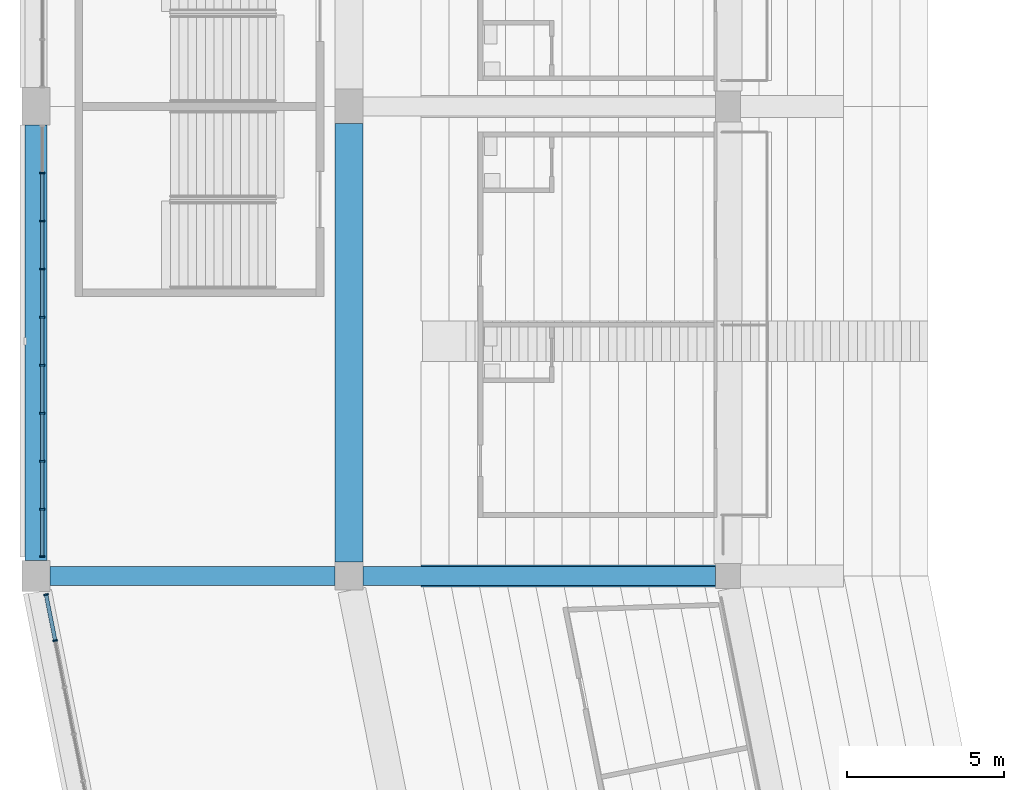
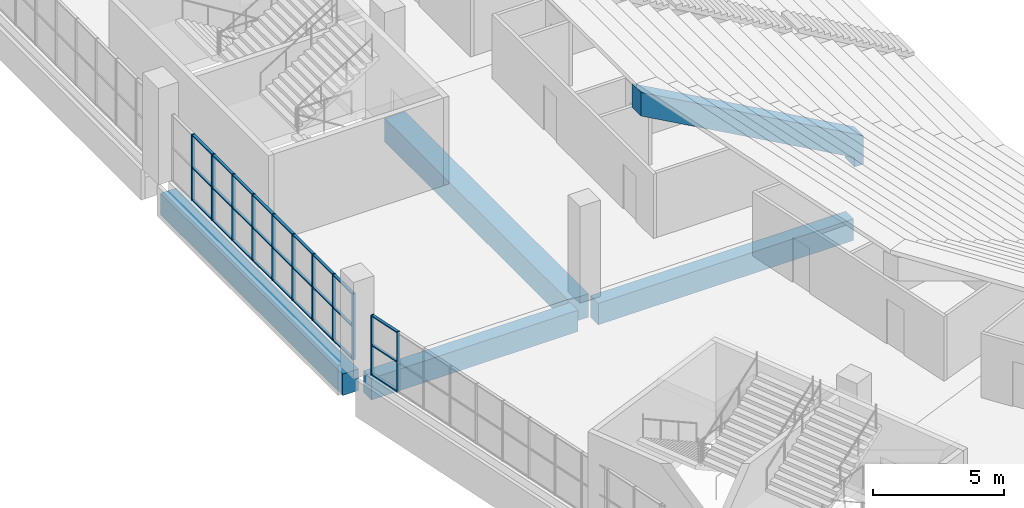
# One storey, part 10 of 249: 38 members, 5 beams, 2 elements without a shape of their own.
"""IFC4 building model written with IfcOpenShell, lengths in metres."""

from ifc_helpers import new_model, si_unit, direction, frame, origin, origin_2d, place, context, subcontext, project, spatial, polyline, rectangle, outline, extrude, material, material_profile, profile_set, type_object, element, aggregate, save


model = new_model("IFC4")

# Units and contexts
model_context = context("Model", 3, precision=1e-05, world=origin(), true_north=direction((0.0, 1.0)))
body_context = subcontext(model_context, "Body", "Model", "MODEL_VIEW")
ifc_project = project(units=[si_unit("LENGTHUNIT", "METRE"), si_unit("AREAUNIT", "SQUARE_METRE"), si_unit("VOLUMEUNIT", "CUBIC_METRE"), si_unit("PLANEANGLEUNIT", "RADIAN"), si_unit("MASSUNIT", "GRAM", prefix="KILO")], contexts=[model_context])

# Site, building, storey
site_placement = place(None, origin())
site = spatial("IfcSite", under=ifc_project, at=site_placement, CompositionType="ELEMENT")
building_placement = place(site_placement, origin())
building = spatial("IfcBuilding", under=site, at=building_placement, Name="Ogive Plaza Stadium", CompositionType="ELEMENT")
storey_placement = place(building_placement, frame((0.0, 0.0, 13.5)))
storey = spatial("IfcBuildingStorey", under=building, at=storey_placement, Name="L03", CompositionType="ELEMENT", Elevation=13.5)

# Curtain wall, members
ifc_material_1 = material(Name="Bronze-anodised aluminium with laminated glass", Category="aluminium")
curtain_wall_type = type_object("IfcCurtainWallType", Name="Lancet curtain wall", PredefinedType="NOTDEFINED", material=ifc_material_1)
curtain_wall_1_placement = place(storey_placement, origin())
curtain_wall_1 = element("IfcCurtainWall", 1, at=curtain_wall_1_placement, inside=storey, type_object=curtain_wall_type, Name="CURTAIN WALL B20 L03", PredefinedType="NOTDEFINED")
ifc_material_2 = material(Name="Bronze-anodised aluminium", Category="aluminium")
ifc_material_profile_1 = material_profile(ifc_material_2, rectangle(XDim=0.14990234375, YDim=0.050048828125, at=origin_2d()), Name="AL 150x50")
ifc_profile_set_1 = profile_set([ifc_material_profile_1], Name="Bronze-anodised aluminium")
member_type_1 = type_object("IfcMemberType", Name="Curtain wall mullion 50x150", PredefinedType="MULLION", material=ifc_profile_set_1)
member_1_placement = place(storey_placement, frame((-83.3857421875, -54.5625, 0.0), z_axis=(0.0, 0.0, 1.0), x_axis=(-0.9807852804, -0.195090322033, 0.0)))
member_1 = element("IfcMember", 2, at=member_1_placement, type_object=member_type_1, Name="CW-B20-L03 mullion 12", PredefinedType="MULLION", context=body_context, shape_type="SweptSolid", body=[
    extrude(rectangle(XDim=0.14990234375, YDim=0.050048828125, at=origin_2d()), origin(), (0.0, 0.0, 1.0), 2.7900390625),
])
member_2_placement = place(storey_placement, frame((-83.677978515625, -53.093994140625, 0.0), z_axis=(0.0, 0.0, 1.0), x_axis=(-0.9807852804, -0.195090322033, 0.0)))
member_2 = element("IfcMember", 3, at=member_2_placement, type_object=member_type_1, Name="CW-B20-L03 mullion 13", PredefinedType="MULLION", context=body_context, shape_type="SweptSolid", body=[
    extrude(rectangle(XDim=0.14990234375, YDim=0.050048828125, at=origin_2d()), origin(), (0.0, 0.0, 1.0), 2.7900390625),
])

curtain_wall_2_placement = place(storey_placement, origin())
curtain_wall_2 = element("IfcCurtainWall", 4, at=curtain_wall_2_placement, inside=storey, type_object=curtain_wall_type, Name="CURTAIN WALL B21 L03", PredefinedType="NOTDEFINED")
member_3_placement = place(storey_placement, frame((-83.800048828125, -51.875, 0.0), z_axis=(0.0, 0.0, 1.0), x_axis=(-1.0, 0.0, 0.0)))
member_3 = element("IfcMember", 5, at=member_3_placement, type_object=member_type_1, Name="CW-B21-L03 mullion 1", PredefinedType="MULLION", context=body_context, shape_type="SweptSolid", body=[
    extrude(rectangle(XDim=0.14990234375, YDim=0.050048828125, at=origin_2d()), origin(), (0.0, 0.0, 1.0), 3.090087890625),
])
member_4_placement = place(storey_placement, frame((-83.800048828125, -50.36669921875, 0.0), z_axis=(0.0, 0.0, 1.0), x_axis=(-1.0, 0.0, 0.0)))
member_4 = element("IfcMember", 6, at=member_4_placement, type_object=member_type_1, Name="CW-B21-L03 mullion 2", PredefinedType="MULLION", context=body_context, shape_type="SweptSolid", body=[
    extrude(rectangle(XDim=0.14990234375, YDim=0.050048828125, at=origin_2d()), origin(), (0.0, 0.0, 1.0), 3.090087890625),
])
member_5_placement = place(storey_placement, frame((-83.800048828125, -48.833251953125, 0.0), z_axis=(0.0, 0.0, 1.0), x_axis=(-1.0, 0.0, 0.0)))
member_5 = element("IfcMember", 7, at=member_5_placement, type_object=member_type_1, Name="CW-B21-L03 mullion 3", PredefinedType="MULLION", context=body_context, shape_type="SweptSolid", body=[
    extrude(rectangle(XDim=0.14990234375, YDim=0.050048828125, at=origin_2d()), origin(), (0.0, 0.0, 1.0), 3.090087890625),
])
member_6_placement = place(storey_placement, frame((-83.800048828125, -47.300048828125, 0.0), z_axis=(0.0, 0.0, 1.0), x_axis=(-1.0, 0.0, 0.0)))
member_6 = element("IfcMember", 8, at=member_6_placement, type_object=member_type_1, Name="CW-B21-L03 mullion 4", PredefinedType="MULLION", context=body_context, shape_type="SweptSolid", body=[
    extrude(rectangle(XDim=0.14990234375, YDim=0.050048828125, at=origin_2d()), origin(), (0.0, 0.0, 1.0), 3.090087890625),
])
member_7_placement = place(storey_placement, frame((-83.800048828125, -45.7666015625, 0.0), z_axis=(0.0, 0.0, 1.0), x_axis=(-1.0, 0.0, 0.0)))
member_7 = element("IfcMember", 9, at=member_7_placement, type_object=member_type_1, Name="CW-B21-L03 mullion 5", PredefinedType="MULLION", context=body_context, shape_type="SweptSolid", body=[
    extrude(rectangle(XDim=0.14990234375, YDim=0.050048828125, at=origin_2d()), origin(), (0.0, 0.0, 1.0), 3.090087890625),
])
member_8_placement = place(storey_placement, frame((-83.800048828125, -44.2333984375, 0.0), z_axis=(0.0, 0.0, 1.0), x_axis=(-1.0, 0.0, 0.0)))
member_8 = element("IfcMember", 10, at=member_8_placement, type_object=member_type_1, Name="CW-B21-L03 mullion 6", PredefinedType="MULLION", context=body_context, shape_type="SweptSolid", body=[
    extrude(rectangle(XDim=0.14990234375, YDim=0.050048828125, at=origin_2d()), origin(), (0.0, 0.0, 1.0), 3.090087890625),
])
member_9_placement = place(storey_placement, frame((-83.800048828125, -42.699951171875, 0.0), z_axis=(0.0, 0.0, 1.0), x_axis=(-1.0, 0.0, 0.0)))
member_9 = element("IfcMember", 11, at=member_9_placement, type_object=member_type_1, Name="CW-B21-L03 mullion 7", PredefinedType="MULLION", context=body_context, shape_type="SweptSolid", body=[
    extrude(rectangle(XDim=0.14990234375, YDim=0.050048828125, at=origin_2d()), origin(), (0.0, 0.0, 1.0), 3.090087890625),
])
member_10_placement = place(storey_placement, frame((-83.800048828125, -41.166748046875, 0.0), z_axis=(0.0, 0.0, 1.0), x_axis=(-1.0, 0.0, 0.0)))
member_10 = element("IfcMember", 12, at=member_10_placement, type_object=member_type_1, Name="CW-B21-L03 mullion 8", PredefinedType="MULLION", context=body_context, shape_type="SweptSolid", body=[
    extrude(rectangle(XDim=0.14990234375, YDim=0.050048828125, at=origin_2d()), origin(), (0.0, 0.0, 1.0), 3.090087890625),
])
member_11_placement = place(storey_placement, frame((-83.800048828125, -39.63330078125, 0.0), z_axis=(0.0, 0.0, 1.0), x_axis=(-1.0, 0.0, 0.0)))
member_11 = element("IfcMember", 13, at=member_11_placement, type_object=member_type_1, Name="CW-B21-L03 mullion 9", PredefinedType="MULLION", context=body_context, shape_type="SweptSolid", body=[
    extrude(rectangle(XDim=0.14990234375, YDim=0.050048828125, at=origin_2d()), origin(), (0.0, 0.0, 1.0), 3.090087890625),
])

# Member
ifc_material_3 = material(Name="Bronze-anodised aluminium", Category="aluminium")
ifc_material_profile_2 = material_profile(ifc_material_3, rectangle(XDim=0.1201171875, YDim=0.050048828125, at=origin_2d()), Name="AL 120x50")
ifc_profile_set_2 = profile_set([ifc_material_profile_2], Name="Bronze-anodised aluminium")
member_type_2 = type_object("IfcMemberType", Name="Curtain wall transom 50x120", PredefinedType="USERDEFINED", material=ifc_profile_set_2)
member_12_placement = place(storey_placement, frame((-83.390625, -54.5380859375, 0.02490234375), z_axis=(-0.195175269199, 0.980768379534, 0.0), x_axis=(-0.980768379534, -0.195175269199, 0.0)))
member_12 = element("IfcMember", 14, at=member_12_placement, type_object=member_type_2, Name="CW-B20-L03 transom 12.1", ObjectType="TRANSOM", PredefinedType="USERDEFINED", context=body_context, shape_type="SweptSolid", body=[
    extrude(rectangle(XDim=0.1201171875, YDim=0.050048828125, at=origin_2d()), origin(), (0.0, 0.0, 1.0), 1.447265625),
])

member_13_placement = place(storey_placement, frame((-83.390625, -54.5380859375, 1.39501953125), z_axis=(-0.195175269199, 0.980768379534, 0.0), x_axis=(-0.980768379534, -0.195175269199, 0.0)))
member_13 = element("IfcMember", 15, at=member_13_placement, type_object=member_type_2, Name="CW-B20-L03 transom 12.2", ObjectType="TRANSOM", PredefinedType="USERDEFINED", context=body_context, shape_type="SweptSolid", body=[
    extrude(rectangle(XDim=0.1201171875, YDim=0.050048828125, at=origin_2d()), origin(), (0.0, 0.0, 1.0), 1.447265625),
])

member_14_placement = place(storey_placement, frame((-83.390625, -54.5380859375, 2.764892578125), z_axis=(-0.195175269199, 0.980768379534, 0.0), x_axis=(-0.980768379534, -0.195175269199, 0.0)))
member_14 = element("IfcMember", 16, at=member_14_placement, type_object=member_type_2, Name="CW-B20-L03 transom 12.3", ObjectType="TRANSOM", PredefinedType="USERDEFINED", context=body_context, shape_type="SweptSolid", body=[
    extrude(rectangle(XDim=0.1201171875, YDim=0.050048828125, at=origin_2d()), origin(), (0.0, 0.0, 1.0), 1.447265625),
])

aggregate(curtain_wall_1, [member_1, member_2, member_12, member_13, member_14])

member_15_placement = place(storey_placement, frame((-83.800048828125, -51.85009765625, 0.02490234375), z_axis=(0.0, 1.0, 0.0), x_axis=(-1.0, 0.0, 0.0)))
member_15 = element("IfcMember", 17, at=member_15_placement, type_object=member_type_2, Name="CW-B21-L03 transom 1.1", ObjectType="TRANSOM", PredefinedType="USERDEFINED", context=body_context, shape_type="SweptSolid", body=[
    extrude(rectangle(XDim=0.1201171875, YDim=0.050048828125, at=origin_2d()), origin(), (0.0, 0.0, 1.0), 1.45849609375),
])

member_16_placement = place(storey_placement, frame((-83.800048828125, -51.85009765625, 1.544921875), z_axis=(0.0, 1.0, 0.0), x_axis=(-1.0, 0.0, 0.0)))
member_16 = element("IfcMember", 18, at=member_16_placement, type_object=member_type_2, Name="CW-B21-L03 transom 1.2", ObjectType="TRANSOM", PredefinedType="USERDEFINED", context=body_context, shape_type="SweptSolid", body=[
    extrude(rectangle(XDim=0.1201171875, YDim=0.050048828125, at=origin_2d()), origin(), (0.0, 0.0, 1.0), 1.45849609375),
])

member_17_placement = place(storey_placement, frame((-83.800048828125, -51.85009765625, 3.06494140625), z_axis=(0.0, 1.0, 0.0), x_axis=(-1.0, 0.0, 0.0)))
member_17 = element("IfcMember", 19, at=member_17_placement, type_object=member_type_2, Name="CW-B21-L03 transom 1.3", ObjectType="TRANSOM", PredefinedType="USERDEFINED", context=body_context, shape_type="SweptSolid", body=[
    extrude(rectangle(XDim=0.1201171875, YDim=0.050048828125, at=origin_2d()), origin(), (0.0, 0.0, 1.0), 1.45849609375),
])

member_18_placement = place(storey_placement, frame((-83.800048828125, -50.341552734375, 0.02490234375), z_axis=(0.0, 1.0, 0.0), x_axis=(-1.0, 0.0, 0.0)))
member_18 = element("IfcMember", 20, at=member_18_placement, type_object=member_type_2, Name="CW-B21-L03 transom 2.1", ObjectType="TRANSOM", PredefinedType="USERDEFINED", context=body_context, shape_type="SweptSolid", body=[
    extrude(rectangle(XDim=0.1201171875, YDim=0.050048828125, at=origin_2d()), origin(), (0.0, 0.0, 1.0), 1.483154296875),
])

member_19_placement = place(storey_placement, frame((-83.800048828125, -50.341552734375, 1.544921875), z_axis=(0.0, 1.0, 0.0), x_axis=(-1.0, 0.0, 0.0)))
member_19 = element("IfcMember", 21, at=member_19_placement, type_object=member_type_2, Name="CW-B21-L03 transom 2.2", ObjectType="TRANSOM", PredefinedType="USERDEFINED", context=body_context, shape_type="SweptSolid", body=[
    extrude(rectangle(XDim=0.1201171875, YDim=0.050048828125, at=origin_2d()), origin(), (0.0, 0.0, 1.0), 1.483154296875),
])

member_20_placement = place(storey_placement, frame((-83.800048828125, -50.341552734375, 3.06494140625), z_axis=(0.0, 1.0, 0.0), x_axis=(-1.0, 0.0, 0.0)))
member_20 = element("IfcMember", 22, at=member_20_placement, type_object=member_type_2, Name="CW-B21-L03 transom 2.3", ObjectType="TRANSOM", PredefinedType="USERDEFINED", context=body_context, shape_type="SweptSolid", body=[
    extrude(rectangle(XDim=0.1201171875, YDim=0.050048828125, at=origin_2d()), origin(), (0.0, 0.0, 1.0), 1.483154296875),
])

member_21_placement = place(storey_placement, frame((-83.800048828125, -48.808349609375, 0.02490234375), z_axis=(0.0, 1.0, 0.0), x_axis=(-1.0, 0.0, 0.0)))
member_21 = element("IfcMember", 23, at=member_21_placement, type_object=member_type_2, Name="CW-B21-L03 transom 3.1", ObjectType="TRANSOM", PredefinedType="USERDEFINED", context=body_context, shape_type="SweptSolid", body=[
    extrude(rectangle(XDim=0.1201171875, YDim=0.050048828125, at=origin_2d()), origin(), (0.0, 0.0, 1.0), 1.4833984375),
])

member_22_placement = place(storey_placement, frame((-83.800048828125, -48.808349609375, 1.544921875), z_axis=(0.0, 1.0, 0.0), x_axis=(-1.0, 0.0, 0.0)))
member_22 = element("IfcMember", 24, at=member_22_placement, type_object=member_type_2, Name="CW-B21-L03 transom 3.2", ObjectType="TRANSOM", PredefinedType="USERDEFINED", context=body_context, shape_type="SweptSolid", body=[
    extrude(rectangle(XDim=0.1201171875, YDim=0.050048828125, at=origin_2d()), origin(), (0.0, 0.0, 1.0), 1.4833984375),
])

member_23_placement = place(storey_placement, frame((-83.800048828125, -48.808349609375, 3.06494140625), z_axis=(0.0, 1.0, 0.0), x_axis=(-1.0, 0.0, 0.0)))
member_23 = element("IfcMember", 25, at=member_23_placement, type_object=member_type_2, Name="CW-B21-L03 transom 3.3", ObjectType="TRANSOM", PredefinedType="USERDEFINED", context=body_context, shape_type="SweptSolid", body=[
    extrude(rectangle(XDim=0.1201171875, YDim=0.050048828125, at=origin_2d()), origin(), (0.0, 0.0, 1.0), 1.4833984375),
])

member_24_placement = place(storey_placement, frame((-83.800048828125, -47.27490234375, 0.02490234375), z_axis=(0.0, 1.0, 0.0), x_axis=(-1.0, 0.0, 0.0)))
member_24 = element("IfcMember", 26, at=member_24_placement, type_object=member_type_2, Name="CW-B21-L03 transom 4.1", ObjectType="TRANSOM", PredefinedType="USERDEFINED", context=body_context, shape_type="SweptSolid", body=[
    extrude(rectangle(XDim=0.1201171875, YDim=0.050048828125, at=origin_2d()), origin(), (0.0, 0.0, 1.0), 1.483154296875),
])

member_25_placement = place(storey_placement, frame((-83.800048828125, -47.27490234375, 1.544921875), z_axis=(0.0, 1.0, 0.0), x_axis=(-1.0, 0.0, 0.0)))
member_25 = element("IfcMember", 27, at=member_25_placement, type_object=member_type_2, Name="CW-B21-L03 transom 4.2", ObjectType="TRANSOM", PredefinedType="USERDEFINED", context=body_context, shape_type="SweptSolid", body=[
    extrude(rectangle(XDim=0.1201171875, YDim=0.050048828125, at=origin_2d()), origin(), (0.0, 0.0, 1.0), 1.483154296875),
])

member_26_placement = place(storey_placement, frame((-83.800048828125, -47.27490234375, 3.06494140625), z_axis=(0.0, 1.0, 0.0), x_axis=(-1.0, 0.0, 0.0)))
member_26 = element("IfcMember", 28, at=member_26_placement, type_object=member_type_2, Name="CW-B21-L03 transom 4.3", ObjectType="TRANSOM", PredefinedType="USERDEFINED", context=body_context, shape_type="SweptSolid", body=[
    extrude(rectangle(XDim=0.1201171875, YDim=0.050048828125, at=origin_2d()), origin(), (0.0, 0.0, 1.0), 1.483154296875),
])

member_27_placement = place(storey_placement, frame((-83.800048828125, -45.74169921875, 0.02490234375), z_axis=(0.0, 1.0, 0.0), x_axis=(-1.0, 0.0, 0.0)))
member_27 = element("IfcMember", 29, at=member_27_placement, type_object=member_type_2, Name="CW-B21-L03 transom 5.1", ObjectType="TRANSOM", PredefinedType="USERDEFINED", context=body_context, shape_type="SweptSolid", body=[
    extrude(rectangle(XDim=0.1201171875, YDim=0.050048828125, at=origin_2d()), origin(), (0.0, 0.0, 1.0), 1.4833984375),
])

member_28_placement = place(storey_placement, frame((-83.800048828125, -45.74169921875, 1.544921875), z_axis=(0.0, 1.0, 0.0), x_axis=(-1.0, 0.0, 0.0)))
member_28 = element("IfcMember", 30, at=member_28_placement, type_object=member_type_2, Name="CW-B21-L03 transom 5.2", ObjectType="TRANSOM", PredefinedType="USERDEFINED", context=body_context, shape_type="SweptSolid", body=[
    extrude(rectangle(XDim=0.1201171875, YDim=0.050048828125, at=origin_2d()), origin(), (0.0, 0.0, 1.0), 1.4833984375),
])

member_29_placement = place(storey_placement, frame((-83.800048828125, -45.74169921875, 3.06494140625), z_axis=(0.0, 1.0, 0.0), x_axis=(-1.0, 0.0, 0.0)))
member_29 = element("IfcMember", 31, at=member_29_placement, type_object=member_type_2, Name="CW-B21-L03 transom 5.3", ObjectType="TRANSOM", PredefinedType="USERDEFINED", context=body_context, shape_type="SweptSolid", body=[
    extrude(rectangle(XDim=0.1201171875, YDim=0.050048828125, at=origin_2d()), origin(), (0.0, 0.0, 1.0), 1.4833984375),
])

member_30_placement = place(storey_placement, frame((-83.800048828125, -44.208251953125, 0.02490234375), z_axis=(0.0, 1.0, 0.0), x_axis=(-1.0, 0.0, 0.0)))
member_30 = element("IfcMember", 32, at=member_30_placement, type_object=member_type_2, Name="CW-B21-L03 transom 6.1", ObjectType="TRANSOM", PredefinedType="USERDEFINED", context=body_context, shape_type="SweptSolid", body=[
    extrude(rectangle(XDim=0.1201171875, YDim=0.050048828125, at=origin_2d()), origin(), (0.0, 0.0, 1.0), 1.483154296875),
])

member_31_placement = place(storey_placement, frame((-83.800048828125, -44.208251953125, 1.544921875), z_axis=(0.0, 1.0, 0.0), x_axis=(-1.0, 0.0, 0.0)))
member_31 = element("IfcMember", 33, at=member_31_placement, type_object=member_type_2, Name="CW-B21-L03 transom 6.2", ObjectType="TRANSOM", PredefinedType="USERDEFINED", context=body_context, shape_type="SweptSolid", body=[
    extrude(rectangle(XDim=0.1201171875, YDim=0.050048828125, at=origin_2d()), origin(), (0.0, 0.0, 1.0), 1.483154296875),
])

member_32_placement = place(storey_placement, frame((-83.800048828125, -44.208251953125, 3.06494140625), z_axis=(0.0, 1.0, 0.0), x_axis=(-1.0, 0.0, 0.0)))
member_32 = element("IfcMember", 34, at=member_32_placement, type_object=member_type_2, Name="CW-B21-L03 transom 6.3", ObjectType="TRANSOM", PredefinedType="USERDEFINED", context=body_context, shape_type="SweptSolid", body=[
    extrude(rectangle(XDim=0.1201171875, YDim=0.050048828125, at=origin_2d()), origin(), (0.0, 0.0, 1.0), 1.483154296875),
])

member_33_placement = place(storey_placement, frame((-83.800048828125, -42.675048828125, 0.02490234375), z_axis=(0.0, 1.0, 0.0), x_axis=(-1.0, 0.0, 0.0)))
member_33 = element("IfcMember", 35, at=member_33_placement, type_object=member_type_2, Name="CW-B21-L03 transom 7.1", ObjectType="TRANSOM", PredefinedType="USERDEFINED", context=body_context, shape_type="SweptSolid", body=[
    extrude(rectangle(XDim=0.1201171875, YDim=0.050048828125, at=origin_2d()), origin(), (0.0, 0.0, 1.0), 1.4833984375),
])

member_34_placement = place(storey_placement, frame((-83.800048828125, -42.675048828125, 1.544921875), z_axis=(0.0, 1.0, 0.0), x_axis=(-1.0, 0.0, 0.0)))
member_34 = element("IfcMember", 36, at=member_34_placement, type_object=member_type_2, Name="CW-B21-L03 transom 7.2", ObjectType="TRANSOM", PredefinedType="USERDEFINED", context=body_context, shape_type="SweptSolid", body=[
    extrude(rectangle(XDim=0.1201171875, YDim=0.050048828125, at=origin_2d()), origin(), (0.0, 0.0, 1.0), 1.4833984375),
])

member_35_placement = place(storey_placement, frame((-83.800048828125, -42.675048828125, 3.06494140625), z_axis=(0.0, 1.0, 0.0), x_axis=(-1.0, 0.0, 0.0)))
member_35 = element("IfcMember", 37, at=member_35_placement, type_object=member_type_2, Name="CW-B21-L03 transom 7.3", ObjectType="TRANSOM", PredefinedType="USERDEFINED", context=body_context, shape_type="SweptSolid", body=[
    extrude(rectangle(XDim=0.1201171875, YDim=0.050048828125, at=origin_2d()), origin(), (0.0, 0.0, 1.0), 1.4833984375),
])

member_36_placement = place(storey_placement, frame((-83.800048828125, -41.1416015625, 0.02490234375), z_axis=(0.0, 1.0, 0.0), x_axis=(-1.0, 0.0, 0.0)))
member_36 = element("IfcMember", 38, at=member_36_placement, type_object=member_type_2, Name="CW-B21-L03 transom 8.1", ObjectType="TRANSOM", PredefinedType="USERDEFINED", context=body_context, shape_type="SweptSolid", body=[
    extrude(rectangle(XDim=0.1201171875, YDim=0.050048828125, at=origin_2d()), origin(), (0.0, 0.0, 1.0), 1.483154296875),
])

member_37_placement = place(storey_placement, frame((-83.800048828125, -41.1416015625, 1.544921875), z_axis=(0.0, 1.0, 0.0), x_axis=(-1.0, 0.0, 0.0)))
member_37 = element("IfcMember", 39, at=member_37_placement, type_object=member_type_2, Name="CW-B21-L03 transom 8.2", ObjectType="TRANSOM", PredefinedType="USERDEFINED", context=body_context, shape_type="SweptSolid", body=[
    extrude(rectangle(XDim=0.1201171875, YDim=0.050048828125, at=origin_2d()), origin(), (0.0, 0.0, 1.0), 1.483154296875),
])

member_38_placement = place(storey_placement, frame((-83.800048828125, -41.1416015625, 3.06494140625), z_axis=(0.0, 1.0, 0.0), x_axis=(-1.0, 0.0, 0.0)))
member_38 = element("IfcMember", 40, at=member_38_placement, type_object=member_type_2, Name="CW-B21-L03 transom 8.3", ObjectType="TRANSOM", PredefinedType="USERDEFINED", context=body_context, shape_type="SweptSolid", body=[
    extrude(rectangle(XDim=0.1201171875, YDim=0.050048828125, at=origin_2d()), origin(), (0.0, 0.0, 1.0), 1.483154296875),
])

aggregate(curtain_wall_2, [member_3, member_4, member_5, member_6, member_7, member_8, member_9, member_10, member_11, member_15, member_16, member_17, member_18, member_19, member_20, member_21, member_22, member_23, member_24, member_25, member_26, member_27, member_28, member_29, member_30, member_31, member_32, member_33, member_34, member_35, member_36, member_37, member_38])

# Beams
ifc_material_4 = material(Name="Concrete C45/55 precast", Category="concrete")
ifc_material_profile_3 = material_profile(ifc_material_4, rectangle(XDim=0.699951171875, YDim=1.10009765625, at=origin_2d()), Name="RC 700x1100")
ifc_profile_set_3 = profile_set([ifc_material_profile_3], Name="Concrete C45/55 precast")
beam_type_1 = type_object("IfcBeamType", Name="Precast raker UT back-span 700x1100", PredefinedType="USERDEFINED", material=ifc_profile_set_3)
beam_1_placement = place(storey_placement, frame((-34.0, -52.5, -13.5), z_axis=(0.0, 0.0, 1.0), x_axis=(-1.0, 0.0, 0.0)))
element("IfcBeam", 41, at=beam_1_placement, inside=storey, type_object=beam_type_1, Name="RAKER UT BACK-SPAN R21", ObjectType="RAKER", PredefinedType="USERDEFINED", context=body_context, shape_type="SweptSolid", body=[
    extrude(outline(polyline([(27.89990234375, 15.533203125), (28.300048828125, 15.533203125), (28.300048828125, 15.977783203125), (37.699951171875, 21.199951171875), (37.699951171875, 22.300048828125), (27.89990234375, 16.855712890625), (27.89990234375, 15.533203125)])), frame((0.0, 0.35009765625, 0.0), z_axis=(0.0, -1.0, 0.0), x_axis=(1.0, 0.0, 0.0)), (0.0, 0.0, 1.0), 0.699951171875),
])
ifc_material_5 = material(Name="Concrete C40/50", Category="concrete")
ifc_material_profile_4 = material_profile(ifc_material_5, rectangle(XDim=0.60009765625, YDim=1.0, at=origin_2d()), Name="RC 600x1000")
ifc_profile_set_4 = profile_set([ifc_material_profile_4], Name="Concrete C40/50")
beam_type_2 = type_object("IfcBeamType", Name="RC radial beam 600x1000", PredefinedType="BEAM", material=ifc_profile_set_4)
beam_2_placement = place(storey_placement, frame((-62.300048828125, -52.5, -0.909912109375), z_axis=(-1.0, 0.0, 0.0), x_axis=(0.0, -1.0, 0.0)))
element("IfcBeam", 42, at=beam_2_placement, inside=storey, type_object=beam_type_2, Name="Radial beam L03 R21 F3F4", PredefinedType="BEAM", context=body_context, shape_type="SweptSolid", body=[
    extrude(rectangle(XDim=0.60009765625, YDim=1.0, at=origin_2d()), origin(), (0.0, 0.0, 1.0), 11.25),
])
beam_3_placement = place(storey_placement, frame((-74.449951171875, -52.5, -0.909912109375), z_axis=(-1.0, 0.0, 0.0), x_axis=(0.0, -1.0, 0.0)))
element("IfcBeam", 43, at=beam_3_placement, inside=storey, type_object=beam_type_2, Name="Radial beam L03 R21 F4F5", PredefinedType="BEAM", context=body_context, shape_type="SweptSolid", body=[
    extrude(rectangle(XDim=0.60009765625, YDim=1.0, at=origin_2d()), origin(), (0.0, 0.0, 1.0), 9.10009765625),
])
ifc_material_6 = material(Name="Concrete C40/50", Category="concrete")
ifc_material_profile_5 = material_profile(ifc_material_6, rectangle(XDim=0.89990234375, YDim=1.10009765625, at=origin_2d()), Name="RC 900x1100")
ifc_profile_set_5 = profile_set([ifc_material_profile_5], Name="Concrete C40/50")
beam_type_3 = type_object("IfcBeamType", Name="RC ring beam 900x1100", PredefinedType="BEAM", material=ifc_profile_set_5)
beam_4_placement = place(storey_placement, frame((-74.0, -52.050048828125, -0.9599609375), z_axis=(0.0, 1.0, 0.0), x_axis=(-1.0, 0.0, 0.0)))
element("IfcBeam", 44, at=beam_4_placement, inside=storey, type_object=beam_type_3, Name="Ring beam F4 L03 B21", PredefinedType="BEAM", context=body_context, shape_type="SweptSolid", body=[
    extrude(rectangle(XDim=0.89990234375, YDim=1.10009765625, at=origin_2d()), origin(), (0.0, 0.0, 1.0), 14.0),
])
ifc_material_7 = material(Name="Concrete C40/50", Category="concrete")
ifc_material_profile_6 = material_profile(ifc_material_7, rectangle(XDim=0.699951171875, YDim=1.0, at=origin_2d()), Name="RC 700x1000")
ifc_profile_set_6 = profile_set([ifc_material_profile_6], Name="Concrete C40/50")
beam_type_4 = type_object("IfcBeamType", Name="RC spandrel beam 700x1000", PredefinedType="SPANDREL", material=ifc_profile_set_6)
beam_5_placement = place(storey_placement, frame((-84.0, -52.0, -0.909912109375), z_axis=(0.0, 1.0, 0.0), x_axis=(-1.0, 0.0, 0.0)))
element("IfcBeam", 45, at=beam_5_placement, inside=storey, type_object=beam_type_4, Name="Ring beam F5 L03 B21", PredefinedType="SPANDREL", context=body_context, shape_type="SweptSolid", body=[
    extrude(rectangle(XDim=0.699951171875, YDim=1.0, at=origin_2d()), origin(), (0.0, 0.0, 1.0), 13.89990234375),
])

save(model, "model.ifc")
